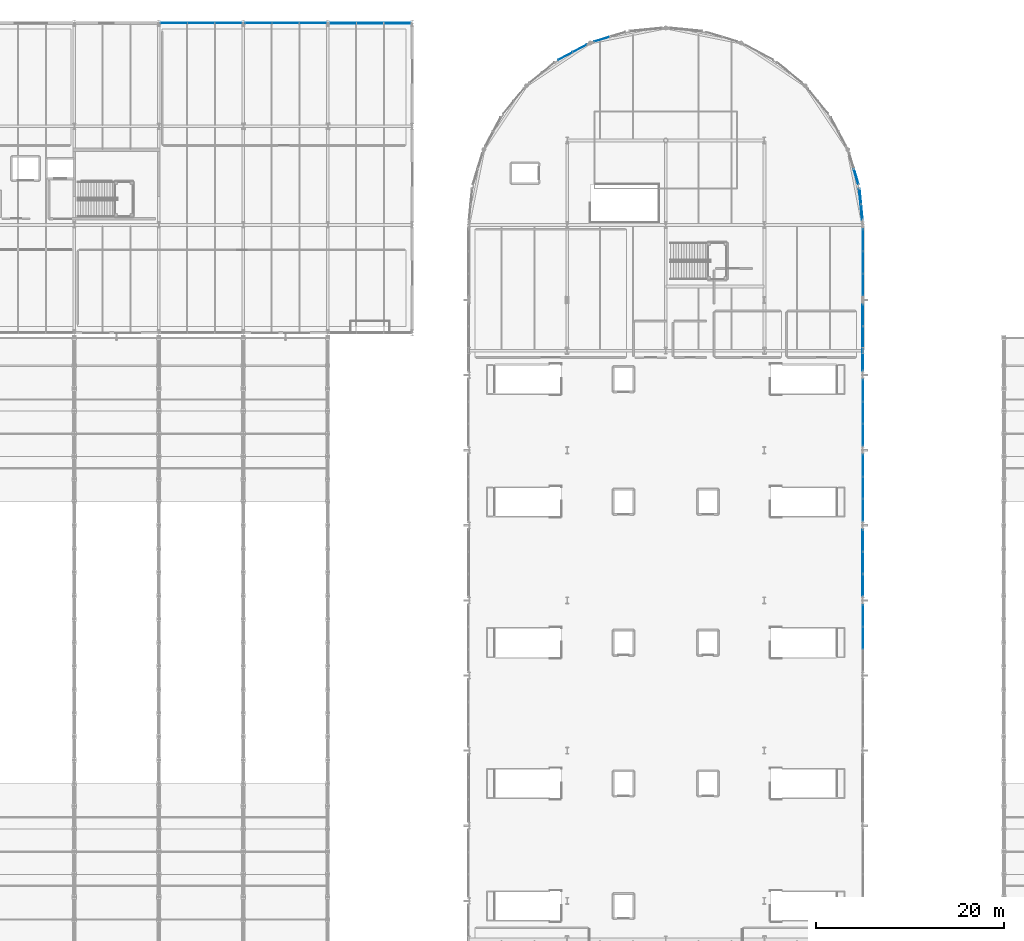
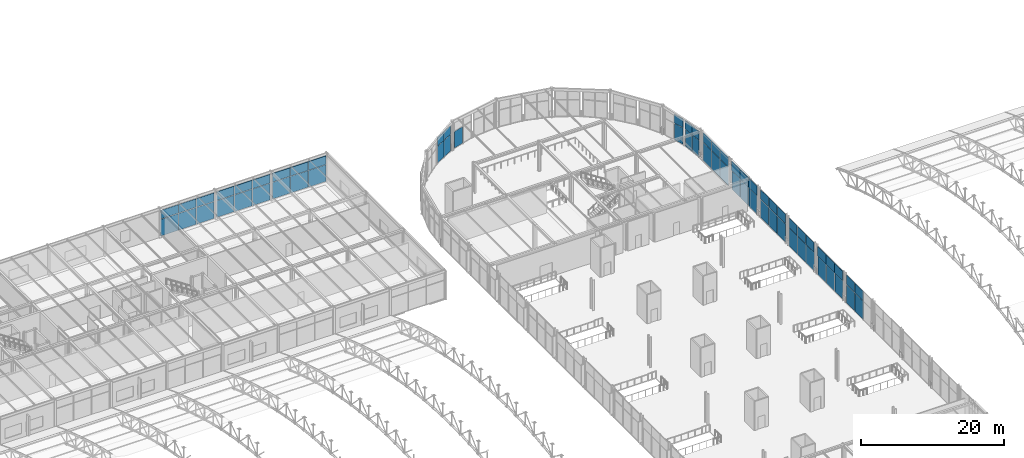
# One storey, part 102 of 195: 63 plates, 13 elements without a shape of their own.
"""IFC4 building model written with IfcOpenShell, lengths in metres."""

from ifc_helpers import new_model, si_unit, direction, frame, origin, origin_2d, place, context, subcontext, project, spatial, rectangle, extrude, material, layer, layer_set, type_object, element, aggregate, save


model = new_model("IFC4")

# Units and contexts
model_context = context("Model", 3, precision=1e-05, world=origin(), true_north=direction((0.0, 1.0)))
body_context = subcontext(model_context, "Body", "Model", "MODEL_VIEW")
ifc_project = project(units=[si_unit("LENGTHUNIT", "METRE"), si_unit("AREAUNIT", "SQUARE_METRE"), si_unit("VOLUMEUNIT", "CUBIC_METRE"), si_unit("PLANEANGLEUNIT", "RADIAN"), si_unit("MASSUNIT", "GRAM", prefix="KILO")], contexts=[model_context])

# Site, building, storey
site_placement = place(None, origin())
site = spatial("IfcSite", under=ifc_project, at=site_placement, CompositionType="ELEMENT")
building_placement = place(site_placement, origin())
building = spatial("IfcBuilding", under=site, at=building_placement, Name="Marlcrest Central Station", CompositionType="ELEMENT")
storey_placement = place(building_placement, frame((0.0, 0.0, 9.800048828125)))
storey = spatial("IfcBuildingStorey", under=building, at=storey_placement, Name="L02", CompositionType="ELEMENT", Elevation=9.800048828125)

# Curtain wall, plates
ifc_material_1 = material(Name="Anodised aluminium and hurricane laminated glass", Category="aluminium")
ifc_layer_1 = layer(ifc_material_1, 0.219970703125, Name="CW-U1")
ifc_layer_set_1 = layer_set([ifc_layer_1], Name="Anodised aluminium and hurricane laminated glass")
curtain_wall_type = type_object("IfcCurtainWallType", Name="CW-U1", PredefinedType="USERDEFINED", material=ifc_layer_set_1)
curtain_wall_1_placement = place(storey_placement, origin())
curtain_wall_1 = element("IfcCurtainWall", 1, at=curtain_wall_1_placement, inside=storey, type_object=curtain_wall_type, Name="cw-L02-0072", ObjectType="UNITISED_CURTAIN_WALL", PredefinedType="USERDEFINED")
ifc_material_2 = material(Name="Hurricane laminated solar-control glass", Category="glass")
ifc_layer_2 = layer(ifc_material_2, 0.031982421875, Name="CP-01")
ifc_layer_set_2 = layer_set([ifc_layer_2], Name="Hurricane laminated solar-control glass")
plate_type_1 = type_object("IfcPlateType", Name="CP-01", PredefinedType="CURTAIN_PANEL", material=ifc_layer_set_2)
plate_1_placement = place(storey_placement, frame((97.287841796875, 128.47119140625, 0.080078125), z_axis=(0.0, 0.0, 1.0), x_axis=(0.882003525167, 0.471242805349, 0.0)))
plate_1 = element("IfcPlate", 2, at=plate_1_placement, type_object=plate_type_1, Name="cw-L02-0072-cp-lo-0", PredefinedType="CURTAIN_PANEL", context=body_context, shape_type="SweptSolid", body=[
    extrude(rectangle(XDim=1.677490234375, YDim=0.031982421875, at=origin_2d()), origin(), (0.0, 0.0, 1.0), 2.804931640625),
])
plate_2_placement = place(storey_placement, frame((98.83447265625, 129.29736328125, 0.080078125), z_axis=(0.0, 0.0, 1.0), x_axis=(0.882003525167, 0.471242805349, 0.0)))
plate_2 = element("IfcPlate", 3, at=plate_2_placement, type_object=plate_type_1, Name="cw-L02-0072-cp-lo-1", PredefinedType="CURTAIN_PANEL", context=body_context, shape_type="SweptSolid", body=[
    extrude(rectangle(XDim=1.677490234375, YDim=0.031982421875, at=origin_2d()), origin(), (0.0, 0.0, 1.0), 2.804931640625),
])

# Curtain wall, plate
curtain_wall_2_placement = place(storey_placement, origin())
curtain_wall_2 = element("IfcCurtainWall", 4, at=curtain_wall_2_placement, inside=storey, type_object=curtain_wall_type, Name="cw-L02-0073", ObjectType="UNITISED_CURTAIN_WALL", PredefinedType="USERDEFINED")
plate_3_placement = place(storey_placement, frame((101.189453125, 130.272705078125, 0.080078125), z_axis=(0.0, 0.0, 1.0), x_axis=(0.956930202302, 0.290318080597, 0.0)))
plate_3 = element("IfcPlate", 5, at=plate_3_placement, type_object=plate_type_1, Name="cw-L02-0073-cp-lo-0", PredefinedType="CURTAIN_PANEL", context=body_context, shape_type="SweptSolid", body=[
    extrude(rectangle(XDim=1.67724609375, YDim=0.031982421875, at=origin_2d()), origin(), (0.0, 0.0, 1.0), 2.804931640625),
])
aggregate(curtain_wall_2, [plate_3])

curtain_wall_3_placement = place(storey_placement, origin())
curtain_wall_3 = element("IfcCurtainWall", 6, at=curtain_wall_3_placement, inside=storey, type_object=curtain_wall_type, Name="cw-L02-0081", ObjectType="UNITISED_CURTAIN_WALL", PredefinedType="USERDEFINED")
plate_4_placement = place(storey_placement, frame((128.28173828125, 115.6328125, 0.080078125), z_axis=(0.0, 0.0, 1.0), x_axis=(0.290318080597, -0.956930202302, 0.0)))
plate_4 = element("IfcPlate", 7, at=plate_4_placement, type_object=plate_type_1, Name="cw-L02-0081-cp-lo-1", PredefinedType="CURTAIN_PANEL", context=body_context, shape_type="SweptSolid", body=[
    extrude(rectangle(XDim=1.67724609375, YDim=0.031982421875, at=origin_2d()), origin(), (0.0, 0.0, 1.0), 2.804931640625),
])

# Curtain wall, plates
curtain_wall_4_placement = place(storey_placement, origin())
curtain_wall_4 = element("IfcCurtainWall", 8, at=curtain_wall_4_placement, inside=storey, type_object=curtain_wall_type, Name="cw-L02-0082", ObjectType="UNITISED_CURTAIN_WALL", PredefinedType="USERDEFINED")
plate_5_placement = place(storey_placement, frame((128.69921875, 113.5498046875, 0.080078125), z_axis=(0.0, 0.0, 1.0), x_axis=(0.098138724349, -0.995172744192, 0.0)))
plate_5 = element("IfcPlate", 9, at=plate_5_placement, type_object=plate_type_1, Name="cw-L02-0082-cp-lo-0", PredefinedType="CURTAIN_PANEL", context=body_context, shape_type="SweptSolid", body=[
    extrude(rectangle(XDim=1.61669921875, YDim=0.031982421875, at=origin_2d()), origin(), (0.0, 0.0, 1.0), 2.804931640625),
])
plate_6_placement = place(storey_placement, frame((128.865234375, 111.865478515625, 0.080078125), z_axis=(0.0, 0.0, 1.0), x_axis=(0.098138724349, -0.995172744192, 0.0)))
plate_6 = element("IfcPlate", 10, at=plate_6_placement, type_object=plate_type_1, Name="cw-L02-0082-cp-lo-1", PredefinedType="CURTAIN_PANEL", context=body_context, shape_type="SweptSolid", body=[
    extrude(rectangle(XDim=1.61669921875, YDim=0.031982421875, at=origin_2d()), origin(), (0.0, 0.0, 1.0), 2.804931640625),
])

curtain_wall_5_placement = place(storey_placement, origin())
curtain_wall_5 = element("IfcCurtainWall", 11, at=curtain_wall_5_placement, inside=storey, type_object=curtain_wall_type, Name="cw-L02-0120", ObjectType="UNITISED_CURTAIN_WALL", PredefinedType="USERDEFINED")
plate_7_placement = place(storey_placement, frame((129.0, 68.86669921875, 0.080078125), z_axis=(0.0, 0.0, 1.0), x_axis=(0.0, -1.0, 0.0)))
plate_7 = element("IfcPlate", 12, at=plate_7_placement, type_object=plate_type_1, Name="cw-L02-0120-cp-lo-0", PredefinedType="CURTAIN_PANEL", context=body_context, shape_type="SweptSolid", body=[
    extrude(rectangle(XDim=2.290771484375, YDim=0.031982421875, at=origin_2d()), origin(), (0.0, 0.0, 1.0), 3.097900390625),
])
plate_8_placement = place(storey_placement, frame((129.0, 66.5, 0.080078125), z_axis=(0.0, 0.0, 1.0), x_axis=(0.0, -1.0, 0.0)))
plate_8 = element("IfcPlate", 13, at=plate_8_placement, type_object=plate_type_1, Name="cw-L02-0120-cp-lo-1", PredefinedType="CURTAIN_PANEL", context=body_context, shape_type="SweptSolid", body=[
    extrude(rectangle(XDim=2.290771484375, YDim=0.031982421875, at=origin_2d()), origin(), (0.0, 0.0, 1.0), 3.097900390625),
])

curtain_wall_6_placement = place(storey_placement, origin())
curtain_wall_6 = element("IfcCurtainWall", 14, at=curtain_wall_6_placement, inside=storey, type_object=curtain_wall_type, Name="cw-L02-0124", ObjectType="UNITISED_CURTAIN_WALL", PredefinedType="USERDEFINED")
plate_9_placement = place(storey_placement, frame((129.0, 76.86669921875, 0.080078125), z_axis=(0.0, 0.0, 1.0), x_axis=(0.0, -1.0, 0.0)))
plate_9 = element("IfcPlate", 15, at=plate_9_placement, type_object=plate_type_1, Name="cw-L02-0124-cp-lo-0", PredefinedType="CURTAIN_PANEL", context=body_context, shape_type="SweptSolid", body=[
    extrude(rectangle(XDim=2.290771484375, YDim=0.031982421875, at=origin_2d()), origin(), (0.0, 0.0, 1.0), 3.097900390625),
])
plate_10_placement = place(storey_placement, frame((129.0, 74.5, 0.080078125), z_axis=(0.0, 0.0, 1.0), x_axis=(0.0, -1.0, 0.0)))
plate_10 = element("IfcPlate", 16, at=plate_10_placement, type_object=plate_type_1, Name="cw-L02-0124-cp-lo-1", PredefinedType="CURTAIN_PANEL", context=body_context, shape_type="SweptSolid", body=[
    extrude(rectangle(XDim=2.290771484375, YDim=0.031982421875, at=origin_2d()), origin(), (0.0, 0.0, 1.0), 3.097900390625),
])
plate_11_placement = place(storey_placement, frame((129.0, 72.13330078125, 0.080078125), z_axis=(0.0, 0.0, 1.0), x_axis=(0.0, -1.0, 0.0)))
plate_11 = element("IfcPlate", 17, at=plate_11_placement, type_object=plate_type_1, Name="cw-L02-0124-cp-lo-2", PredefinedType="CURTAIN_PANEL", context=body_context, shape_type="SweptSolid", body=[
    extrude(rectangle(XDim=2.290771484375, YDim=0.031982421875, at=origin_2d()), origin(), (0.0, 0.0, 1.0), 3.097900390625),
])

curtain_wall_7_placement = place(storey_placement, origin())
curtain_wall_7 = element("IfcCurtainWall", 18, at=curtain_wall_7_placement, inside=storey, type_object=curtain_wall_type, Name="cw-L02-0128", ObjectType="UNITISED_CURTAIN_WALL", PredefinedType="USERDEFINED")
plate_12_placement = place(storey_placement, frame((129.0, 84.86669921875, 0.080078125), z_axis=(0.0, 0.0, 1.0), x_axis=(0.0, -1.0, 0.0)))
plate_12 = element("IfcPlate", 19, at=plate_12_placement, type_object=plate_type_1, Name="cw-L02-0128-cp-lo-0", PredefinedType="CURTAIN_PANEL", context=body_context, shape_type="SweptSolid", body=[
    extrude(rectangle(XDim=2.290771484375, YDim=0.031982421875, at=origin_2d()), origin(), (0.0, 0.0, 1.0), 3.097900390625),
])
plate_13_placement = place(storey_placement, frame((129.0, 82.5, 0.080078125), z_axis=(0.0, 0.0, 1.0), x_axis=(0.0, -1.0, 0.0)))
plate_13 = element("IfcPlate", 20, at=plate_13_placement, type_object=plate_type_1, Name="cw-L02-0128-cp-lo-1", PredefinedType="CURTAIN_PANEL", context=body_context, shape_type="SweptSolid", body=[
    extrude(rectangle(XDim=2.290771484375, YDim=0.031982421875, at=origin_2d()), origin(), (0.0, 0.0, 1.0), 3.097900390625),
])
plate_14_placement = place(storey_placement, frame((129.0, 80.13330078125, 0.080078125), z_axis=(0.0, 0.0, 1.0), x_axis=(0.0, -1.0, 0.0)))
plate_14 = element("IfcPlate", 21, at=plate_14_placement, type_object=plate_type_1, Name="cw-L02-0128-cp-lo-2", PredefinedType="CURTAIN_PANEL", context=body_context, shape_type="SweptSolid", body=[
    extrude(rectangle(XDim=2.290771484375, YDim=0.031982421875, at=origin_2d()), origin(), (0.0, 0.0, 1.0), 3.097900390625),
])

curtain_wall_8_placement = place(storey_placement, origin())
curtain_wall_8 = element("IfcCurtainWall", 22, at=curtain_wall_8_placement, inside=storey, type_object=curtain_wall_type, Name="cw-L02-0132", ObjectType="UNITISED_CURTAIN_WALL", PredefinedType="USERDEFINED")
plate_15_placement = place(storey_placement, frame((129.0, 92.86669921875, 0.080078125), z_axis=(0.0, 0.0, 1.0), x_axis=(0.0, -1.0, 0.0)))
plate_15 = element("IfcPlate", 23, at=plate_15_placement, type_object=plate_type_1, Name="cw-L02-0132-cp-lo-0", PredefinedType="CURTAIN_PANEL", context=body_context, shape_type="SweptSolid", body=[
    extrude(rectangle(XDim=2.290771484375, YDim=0.031982421875, at=origin_2d()), origin(), (0.0, 0.0, 1.0), 3.097900390625),
])
plate_16_placement = place(storey_placement, frame((129.0, 90.5, 0.080078125), z_axis=(0.0, 0.0, 1.0), x_axis=(0.0, -1.0, 0.0)))
plate_16 = element("IfcPlate", 24, at=plate_16_placement, type_object=plate_type_1, Name="cw-L02-0132-cp-lo-1", PredefinedType="CURTAIN_PANEL", context=body_context, shape_type="SweptSolid", body=[
    extrude(rectangle(XDim=2.290771484375, YDim=0.031982421875, at=origin_2d()), origin(), (0.0, 0.0, 1.0), 3.097900390625),
])
plate_17_placement = place(storey_placement, frame((129.0, 88.13330078125, 0.080078125), z_axis=(0.0, 0.0, 1.0), x_axis=(0.0, -1.0, 0.0)))
plate_17 = element("IfcPlate", 25, at=plate_17_placement, type_object=plate_type_1, Name="cw-L02-0132-cp-lo-2", PredefinedType="CURTAIN_PANEL", context=body_context, shape_type="SweptSolid", body=[
    extrude(rectangle(XDim=2.290771484375, YDim=0.031982421875, at=origin_2d()), origin(), (0.0, 0.0, 1.0), 3.097900390625),
])

curtain_wall_9_placement = place(storey_placement, origin())
curtain_wall_9 = element("IfcCurtainWall", 26, at=curtain_wall_9_placement, inside=storey, type_object=curtain_wall_type, Name="cw-L02-0136", ObjectType="UNITISED_CURTAIN_WALL", PredefinedType="USERDEFINED")
plate_18_placement = place(storey_placement, frame((129.0, 100.86669921875, 0.080078125), z_axis=(0.0, 0.0, 1.0), x_axis=(0.0, -1.0, 0.0)))
plate_18 = element("IfcPlate", 27, at=plate_18_placement, type_object=plate_type_1, Name="cw-L02-0136-cp-lo-0", PredefinedType="CURTAIN_PANEL", context=body_context, shape_type="SweptSolid", body=[
    extrude(rectangle(XDim=2.290771484375, YDim=0.031982421875, at=origin_2d()), origin(), (0.0, 0.0, 1.0), 3.097900390625),
])
plate_19_placement = place(storey_placement, frame((129.0, 98.5, 0.080078125), z_axis=(0.0, 0.0, 1.0), x_axis=(0.0, -1.0, 0.0)))
plate_19 = element("IfcPlate", 28, at=plate_19_placement, type_object=plate_type_1, Name="cw-L02-0136-cp-lo-1", PredefinedType="CURTAIN_PANEL", context=body_context, shape_type="SweptSolid", body=[
    extrude(rectangle(XDim=2.290771484375, YDim=0.031982421875, at=origin_2d()), origin(), (0.0, 0.0, 1.0), 3.097900390625),
])
plate_20_placement = place(storey_placement, frame((129.0, 96.13330078125, 0.080078125), z_axis=(0.0, 0.0, 1.0), x_axis=(0.0, -1.0, 0.0)))
plate_20 = element("IfcPlate", 29, at=plate_20_placement, type_object=plate_type_1, Name="cw-L02-0136-cp-lo-2", PredefinedType="CURTAIN_PANEL", context=body_context, shape_type="SweptSolid", body=[
    extrude(rectangle(XDim=2.290771484375, YDim=0.031982421875, at=origin_2d()), origin(), (0.0, 0.0, 1.0), 3.097900390625),
])

curtain_wall_10_placement = place(storey_placement, origin())
curtain_wall_10 = element("IfcCurtainWall", 30, at=curtain_wall_10_placement, inside=storey, type_object=curtain_wall_type, Name="cw-L02-0140", ObjectType="UNITISED_CURTAIN_WALL", PredefinedType="USERDEFINED")
plate_21_placement = place(storey_placement, frame((129.0, 108.86669921875, 0.080078125), z_axis=(0.0, 0.0, 1.0), x_axis=(0.0, -1.0, 0.0)))
plate_21 = element("IfcPlate", 31, at=plate_21_placement, type_object=plate_type_1, Name="cw-L02-0140-cp-lo-0", PredefinedType="CURTAIN_PANEL", context=body_context, shape_type="SweptSolid", body=[
    extrude(rectangle(XDim=2.290771484375, YDim=0.031982421875, at=origin_2d()), origin(), (0.0, 0.0, 1.0), 3.097900390625),
])
plate_22_placement = place(storey_placement, frame((129.0, 106.5, 0.080078125), z_axis=(0.0, 0.0, 1.0), x_axis=(0.0, -1.0, 0.0)))
plate_22 = element("IfcPlate", 32, at=plate_22_placement, type_object=plate_type_1, Name="cw-L02-0140-cp-lo-1", PredefinedType="CURTAIN_PANEL", context=body_context, shape_type="SweptSolid", body=[
    extrude(rectangle(XDim=2.290771484375, YDim=0.031982421875, at=origin_2d()), origin(), (0.0, 0.0, 1.0), 3.097900390625),
])
plate_23_placement = place(storey_placement, frame((129.0, 104.13330078125, 0.080078125), z_axis=(0.0, 0.0, 1.0), x_axis=(0.0, -1.0, 0.0)))
plate_23 = element("IfcPlate", 33, at=plate_23_placement, type_object=plate_type_1, Name="cw-L02-0140-cp-lo-2", PredefinedType="CURTAIN_PANEL", context=body_context, shape_type="SweptSolid", body=[
    extrude(rectangle(XDim=2.290771484375, YDim=0.031982421875, at=origin_2d()), origin(), (0.0, 0.0, 1.0), 3.097900390625),
])

curtain_wall_11_placement = place(storey_placement, origin())
curtain_wall_11 = element("IfcCurtainWall", 34, at=curtain_wall_11_placement, inside=storey, type_object=curtain_wall_type, Name="cw-L02-0163", ObjectType="UNITISED_CURTAIN_WALL", PredefinedType="USERDEFINED")
ifc_material_3 = material(Name="Acoustic triple-glazed solar-control glass", Category="glass")
ifc_layer_3 = layer(ifc_material_3, 0.0439453125, Name="CP-03")
ifc_layer_set_3 = layer_set([ifc_layer_3], Name="Acoustic triple-glazed solar-control glass")
plate_type_2 = type_object("IfcPlateType", Name="CP-03", PredefinedType="CURTAIN_PANEL", material=ifc_layer_set_3)
plate_24_placement = place(storey_placement, frame((55.60009765625, 132.0, 0.080078125), z_axis=(0.0, 0.0, 1.0), x_axis=(1.0, 0.0, 0.0)))
plate_24 = element("IfcPlate", 35, at=plate_24_placement, type_object=plate_type_2, Name="cw-L02-0163-cp-lo-0", PredefinedType="CURTAIN_PANEL", context=body_context, shape_type="SweptSolid", body=[
    extrude(rectangle(XDim=2.823974609375, YDim=0.0439453125, at=origin_2d()), origin(), (0.0, 0.0, 1.0), 2.837890625),
])
plate_25_placement = place(storey_placement, frame((58.5, 132.0, 0.080078125), z_axis=(0.0, 0.0, 1.0), x_axis=(1.0, 0.0, 0.0)))
plate_25 = element("IfcPlate", 36, at=plate_25_placement, type_object=plate_type_2, Name="cw-L02-0163-cp-lo-1", PredefinedType="CURTAIN_PANEL", context=body_context, shape_type="SweptSolid", body=[
    extrude(rectangle(XDim=2.823974609375, YDim=0.0439453125, at=origin_2d()), origin(), (0.0, 0.0, 1.0), 2.837890625),
])
plate_26_placement = place(storey_placement, frame((61.39990234375, 132.0, 0.080078125), z_axis=(0.0, 0.0, 1.0), x_axis=(1.0, 0.0, 0.0)))
plate_26 = element("IfcPlate", 37, at=plate_26_placement, type_object=plate_type_2, Name="cw-L02-0163-cp-lo-2", PredefinedType="CURTAIN_PANEL", context=body_context, shape_type="SweptSolid", body=[
    extrude(rectangle(XDim=2.823974609375, YDim=0.0439453125, at=origin_2d()), origin(), (0.0, 0.0, 1.0), 2.837890625),
])

curtain_wall_12_placement = place(storey_placement, origin())
curtain_wall_12 = element("IfcCurtainWall", 38, at=curtain_wall_12_placement, inside=storey, type_object=curtain_wall_type, Name="cw-L02-0164", ObjectType="UNITISED_CURTAIN_WALL", PredefinedType="USERDEFINED")
plate_27_placement = place(storey_placement, frame((64.60009765625, 132.0, 0.080078125), z_axis=(0.0, 0.0, 1.0), x_axis=(1.0, 0.0, 0.0)))
plate_27 = element("IfcPlate", 39, at=plate_27_placement, type_object=plate_type_2, Name="cw-L02-0164-cp-lo-0", PredefinedType="CURTAIN_PANEL", context=body_context, shape_type="SweptSolid", body=[
    extrude(rectangle(XDim=2.823974609375, YDim=0.0439453125, at=origin_2d()), origin(), (0.0, 0.0, 1.0), 2.837890625),
])
plate_28_placement = place(storey_placement, frame((67.5, 132.0, 0.080078125), z_axis=(0.0, 0.0, 1.0), x_axis=(1.0, 0.0, 0.0)))
plate_28 = element("IfcPlate", 40, at=plate_28_placement, type_object=plate_type_2, Name="cw-L02-0164-cp-lo-1", PredefinedType="CURTAIN_PANEL", context=body_context, shape_type="SweptSolid", body=[
    extrude(rectangle(XDim=2.823974609375, YDim=0.0439453125, at=origin_2d()), origin(), (0.0, 0.0, 1.0), 2.837890625),
])
plate_29_placement = place(storey_placement, frame((70.39990234375, 132.0, 0.080078125), z_axis=(0.0, 0.0, 1.0), x_axis=(1.0, 0.0, 0.0)))
plate_29 = element("IfcPlate", 41, at=plate_29_placement, type_object=plate_type_2, Name="cw-L02-0164-cp-lo-2", PredefinedType="CURTAIN_PANEL", context=body_context, shape_type="SweptSolid", body=[
    extrude(rectangle(XDim=2.823974609375, YDim=0.0439453125, at=origin_2d()), origin(), (0.0, 0.0, 1.0), 2.837890625),
])

curtain_wall_13_placement = place(storey_placement, origin())
curtain_wall_13 = element("IfcCurtainWall", 42, at=curtain_wall_13_placement, inside=storey, type_object=curtain_wall_type, Name="cw-L02-0166", ObjectType="UNITISED_CURTAIN_WALL", PredefinedType="USERDEFINED")
plate_30_placement = place(storey_placement, frame((73.60009765625, 132.0, 0.080078125), z_axis=(0.0, 0.0, 1.0), x_axis=(1.0, 0.0, 0.0)))
plate_30 = element("IfcPlate", 43, at=plate_30_placement, type_object=plate_type_2, Name="cw-L02-0166-cp-lo-0", PredefinedType="CURTAIN_PANEL", context=body_context, shape_type="SweptSolid", body=[
    extrude(rectangle(XDim=2.823974609375, YDim=0.0439453125, at=origin_2d()), origin(), (0.0, 0.0, 1.0), 2.837890625),
])
plate_31_placement = place(storey_placement, frame((76.5, 132.0, 0.080078125), z_axis=(0.0, 0.0, 1.0), x_axis=(1.0, 0.0, 0.0)))
plate_31 = element("IfcPlate", 44, at=plate_31_placement, type_object=plate_type_2, Name="cw-L02-0166-cp-lo-1", PredefinedType="CURTAIN_PANEL", context=body_context, shape_type="SweptSolid", body=[
    extrude(rectangle(XDim=2.823974609375, YDim=0.0439453125, at=origin_2d()), origin(), (0.0, 0.0, 1.0), 2.837890625),
])
plate_32_placement = place(storey_placement, frame((79.39990234375, 132.0, 0.080078125), z_axis=(0.0, 0.0, 1.0), x_axis=(1.0, 0.0, 0.0)))
plate_32 = element("IfcPlate", 45, at=plate_32_placement, type_object=plate_type_2, Name="cw-L02-0166-cp-lo-2", PredefinedType="CURTAIN_PANEL", context=body_context, shape_type="SweptSolid", body=[
    extrude(rectangle(XDim=2.823974609375, YDim=0.0439453125, at=origin_2d()), origin(), (0.0, 0.0, 1.0), 2.837890625),
])

# Plate
ifc_material_4 = material(Name="Insulated bronze-anodised aluminium spandrel panel", Category="aluminium")
ifc_layer_4 = layer(ifc_material_4, 0.06005859375, Name="CP-04")
ifc_layer_set_4 = layer_set([ifc_layer_4], Name="Insulated bronze-anodised aluminium spandrel panel")
plate_type_3 = type_object("IfcPlateType", Name="CP-04", PredefinedType="CURTAIN_PANEL", material=ifc_layer_set_4)
plate_33_placement = place(storey_placement, frame((97.287841796875, 128.47119140625, 2.96484375), z_axis=(0.0, 0.0, 1.0), x_axis=(0.882003525167, 0.471242805349, 0.0)))
plate_33 = element("IfcPlate", 46, at=plate_33_placement, type_object=plate_type_3, Name="cw-L02-0072-cp-hi-0", PredefinedType="CURTAIN_PANEL", context=body_context, shape_type="SweptSolid", body=[
    extrude(rectangle(XDim=1.677490234375, YDim=0.06005859375, at=origin_2d()), origin(), (0.0, 0.0, 1.0), 1.455078125),
])

plate_34_placement = place(storey_placement, frame((98.83447265625, 129.29736328125, 2.96484375), z_axis=(0.0, 0.0, 1.0), x_axis=(0.882003525167, 0.471242805349, 0.0)))
plate_34 = element("IfcPlate", 47, at=plate_34_placement, type_object=plate_type_3, Name="cw-L02-0072-cp-hi-1", PredefinedType="CURTAIN_PANEL", context=body_context, shape_type="SweptSolid", body=[
    extrude(rectangle(XDim=1.677490234375, YDim=0.06005859375, at=origin_2d()), origin(), (0.0, 0.0, 1.0), 1.455078125),
])

aggregate(curtain_wall_1, [plate_1, plate_33, plate_2, plate_34])

plate_35_placement = place(storey_placement, frame((129.0, 68.86669921875, 3.2578125), z_axis=(0.0, 0.0, 1.0), x_axis=(0.0, -1.0, 0.0)))
plate_35 = element("IfcPlate", 48, at=plate_35_placement, type_object=plate_type_3, Name="cw-L02-0120-cp-hi-0", PredefinedType="CURTAIN_PANEL", context=body_context, shape_type="SweptSolid", body=[
    extrude(rectangle(XDim=2.290771484375, YDim=0.06005859375, at=origin_2d()), origin(), (0.0, 0.0, 1.0), 1.612060546875),
])

plate_36_placement = place(storey_placement, frame((129.0, 66.5, 3.2578125), z_axis=(0.0, 0.0, 1.0), x_axis=(0.0, -1.0, 0.0)))
plate_36 = element("IfcPlate", 49, at=plate_36_placement, type_object=plate_type_3, Name="cw-L02-0120-cp-hi-1", PredefinedType="CURTAIN_PANEL", context=body_context, shape_type="SweptSolid", body=[
    extrude(rectangle(XDim=2.290771484375, YDim=0.06005859375, at=origin_2d()), origin(), (0.0, 0.0, 1.0), 1.612060546875),
])

aggregate(curtain_wall_5, [plate_7, plate_35, plate_8, plate_36])

plate_37_placement = place(storey_placement, frame((129.0, 92.86669921875, 3.2578125), z_axis=(0.0, 0.0, 1.0), x_axis=(0.0, -1.0, 0.0)))
plate_37 = element("IfcPlate", 50, at=plate_37_placement, type_object=plate_type_3, Name="cw-L02-0132-cp-hi-0", PredefinedType="CURTAIN_PANEL", context=body_context, shape_type="SweptSolid", body=[
    extrude(rectangle(XDim=2.290771484375, YDim=0.06005859375, at=origin_2d()), origin(), (0.0, 0.0, 1.0), 1.612060546875),
])

plate_38_placement = place(storey_placement, frame((129.0, 90.5, 3.2578125), z_axis=(0.0, 0.0, 1.0), x_axis=(0.0, -1.0, 0.0)))
plate_38 = element("IfcPlate", 51, at=plate_38_placement, type_object=plate_type_3, Name="cw-L02-0132-cp-hi-1", PredefinedType="CURTAIN_PANEL", context=body_context, shape_type="SweptSolid", body=[
    extrude(rectangle(XDim=2.290771484375, YDim=0.06005859375, at=origin_2d()), origin(), (0.0, 0.0, 1.0), 1.612060546875),
])

plate_39_placement = place(storey_placement, frame((129.0, 88.13330078125, 3.2578125), z_axis=(0.0, 0.0, 1.0), x_axis=(0.0, -1.0, 0.0)))
plate_39 = element("IfcPlate", 52, at=plate_39_placement, type_object=plate_type_3, Name="cw-L02-0132-cp-hi-2", PredefinedType="CURTAIN_PANEL", context=body_context, shape_type="SweptSolid", body=[
    extrude(rectangle(XDim=2.290771484375, YDim=0.06005859375, at=origin_2d()), origin(), (0.0, 0.0, 1.0), 1.612060546875),
])

aggregate(curtain_wall_8, [plate_15, plate_37, plate_16, plate_38, plate_17, plate_39])

ifc_layer_5 = layer(ifc_material_4, 0.050048828125, Name="CP-05")
ifc_layer_set_5 = layer_set([ifc_layer_5], Name="Insulated bronze-anodised aluminium spandrel panel")
plate_type_4 = type_object("IfcPlateType", Name="CP-05", PredefinedType="CURTAIN_PANEL", material=ifc_layer_set_5)
plate_40_placement = place(storey_placement, frame((55.60009765625, 132.0, 2.998046875), z_axis=(0.0, 0.0, 1.0), x_axis=(1.0, 0.0, 0.0)))
plate_40 = element("IfcPlate", 53, at=plate_40_placement, type_object=plate_type_4, Name="cw-L02-0163-cp-hi-0", PredefinedType="CURTAIN_PANEL", context=body_context, shape_type="SweptSolid", body=[
    extrude(rectangle(XDim=2.823974609375, YDim=0.050048828125, at=origin_2d()), origin(), (0.0, 0.0, 1.0), 1.471923828125),
])

plate_41_placement = place(storey_placement, frame((58.5, 132.0, 2.998046875), z_axis=(0.0, 0.0, 1.0), x_axis=(1.0, 0.0, 0.0)))
plate_41 = element("IfcPlate", 54, at=plate_41_placement, type_object=plate_type_4, Name="cw-L02-0163-cp-hi-1", PredefinedType="CURTAIN_PANEL", context=body_context, shape_type="SweptSolid", body=[
    extrude(rectangle(XDim=2.823974609375, YDim=0.050048828125, at=origin_2d()), origin(), (0.0, 0.0, 1.0), 1.471923828125),
])

plate_42_placement = place(storey_placement, frame((61.39990234375, 132.0, 2.998046875), z_axis=(0.0, 0.0, 1.0), x_axis=(1.0, 0.0, 0.0)))
plate_42 = element("IfcPlate", 55, at=plate_42_placement, type_object=plate_type_4, Name="cw-L02-0163-cp-hi-2", PredefinedType="CURTAIN_PANEL", context=body_context, shape_type="SweptSolid", body=[
    extrude(rectangle(XDim=2.823974609375, YDim=0.050048828125, at=origin_2d()), origin(), (0.0, 0.0, 1.0), 1.471923828125),
])

aggregate(curtain_wall_11, [plate_24, plate_40, plate_25, plate_41, plate_26, plate_42])

ifc_material_5 = material(Name="Insulated acoustic spandrel panel")
ifc_layer_6 = layer(ifc_material_5, 0.074951171875, Name="CP-06")
ifc_layer_set_6 = layer_set([ifc_layer_6], Name="Insulated acoustic spandrel panel")
plate_type_5 = type_object("IfcPlateType", Name="CP-06", PredefinedType="CURTAIN_PANEL", material=ifc_layer_set_6)
plate_43_placement = place(storey_placement, frame((129.0, 84.86669921875, 3.2578125), z_axis=(0.0, 0.0, 1.0), x_axis=(0.0, -1.0, 0.0)))
plate_43 = element("IfcPlate", 56, at=plate_43_placement, type_object=plate_type_5, Name="cw-L02-0128-cp-hi-0", PredefinedType="CURTAIN_PANEL", context=body_context, shape_type="SweptSolid", body=[
    extrude(rectangle(XDim=2.290771484375, YDim=0.074951171875, at=origin_2d()), origin(), (0.0, 0.0, 1.0), 1.612060546875),
])

plate_44_placement = place(storey_placement, frame((129.0, 82.5, 3.2578125), z_axis=(0.0, 0.0, 1.0), x_axis=(0.0, -1.0, 0.0)))
plate_44 = element("IfcPlate", 57, at=plate_44_placement, type_object=plate_type_5, Name="cw-L02-0128-cp-hi-1", PredefinedType="CURTAIN_PANEL", context=body_context, shape_type="SweptSolid", body=[
    extrude(rectangle(XDim=2.290771484375, YDim=0.074951171875, at=origin_2d()), origin(), (0.0, 0.0, 1.0), 1.612060546875),
])

plate_45_placement = place(storey_placement, frame((129.0, 80.13330078125, 3.2578125), z_axis=(0.0, 0.0, 1.0), x_axis=(0.0, -1.0, 0.0)))
plate_45 = element("IfcPlate", 58, at=plate_45_placement, type_object=plate_type_5, Name="cw-L02-0128-cp-hi-2", PredefinedType="CURTAIN_PANEL", context=body_context, shape_type="SweptSolid", body=[
    extrude(rectangle(XDim=2.290771484375, YDim=0.074951171875, at=origin_2d()), origin(), (0.0, 0.0, 1.0), 1.612060546875),
])

aggregate(curtain_wall_7, [plate_12, plate_43, plate_13, plate_44, plate_14, plate_45])

plate_46_placement = place(storey_placement, frame((129.0, 108.86669921875, 3.2578125), z_axis=(0.0, 0.0, 1.0), x_axis=(0.0, -1.0, 0.0)))
plate_46 = element("IfcPlate", 59, at=plate_46_placement, type_object=plate_type_5, Name="cw-L02-0140-cp-hi-0", PredefinedType="CURTAIN_PANEL", context=body_context, shape_type="SweptSolid", body=[
    extrude(rectangle(XDim=2.290771484375, YDim=0.074951171875, at=origin_2d()), origin(), (0.0, 0.0, 1.0), 1.612060546875),
])

plate_47_placement = place(storey_placement, frame((129.0, 106.5, 3.2578125), z_axis=(0.0, 0.0, 1.0), x_axis=(0.0, -1.0, 0.0)))
plate_47 = element("IfcPlate", 60, at=plate_47_placement, type_object=plate_type_5, Name="cw-L02-0140-cp-hi-1", PredefinedType="CURTAIN_PANEL", context=body_context, shape_type="SweptSolid", body=[
    extrude(rectangle(XDim=2.290771484375, YDim=0.074951171875, at=origin_2d()), origin(), (0.0, 0.0, 1.0), 1.612060546875),
])

plate_48_placement = place(storey_placement, frame((129.0, 104.13330078125, 3.2578125), z_axis=(0.0, 0.0, 1.0), x_axis=(0.0, -1.0, 0.0)))
plate_48 = element("IfcPlate", 61, at=plate_48_placement, type_object=plate_type_5, Name="cw-L02-0140-cp-hi-2", PredefinedType="CURTAIN_PANEL", context=body_context, shape_type="SweptSolid", body=[
    extrude(rectangle(XDim=2.290771484375, YDim=0.074951171875, at=origin_2d()), origin(), (0.0, 0.0, 1.0), 1.612060546875),
])

aggregate(curtain_wall_10, [plate_21, plate_46, plate_22, plate_47, plate_23, plate_48])

plate_49_placement = place(storey_placement, frame((64.60009765625, 132.0, 2.998046875), z_axis=(0.0, 0.0, 1.0), x_axis=(1.0, 0.0, 0.0)))
plate_49 = element("IfcPlate", 62, at=plate_49_placement, type_object=plate_type_5, Name="cw-L02-0164-cp-hi-0", PredefinedType="CURTAIN_PANEL", context=body_context, shape_type="SweptSolid", body=[
    extrude(rectangle(XDim=2.823974609375, YDim=0.074951171875, at=origin_2d()), origin(), (0.0, 0.0, 1.0), 1.471923828125),
])

plate_50_placement = place(storey_placement, frame((67.5, 132.0, 2.998046875), z_axis=(0.0, 0.0, 1.0), x_axis=(1.0, 0.0, 0.0)))
plate_50 = element("IfcPlate", 63, at=plate_50_placement, type_object=plate_type_5, Name="cw-L02-0164-cp-hi-1", PredefinedType="CURTAIN_PANEL", context=body_context, shape_type="SweptSolid", body=[
    extrude(rectangle(XDim=2.823974609375, YDim=0.074951171875, at=origin_2d()), origin(), (0.0, 0.0, 1.0), 1.471923828125),
])

plate_51_placement = place(storey_placement, frame((70.39990234375, 132.0, 2.998046875), z_axis=(0.0, 0.0, 1.0), x_axis=(1.0, 0.0, 0.0)))
plate_51 = element("IfcPlate", 64, at=plate_51_placement, type_object=plate_type_5, Name="cw-L02-0164-cp-hi-2", PredefinedType="CURTAIN_PANEL", context=body_context, shape_type="SweptSolid", body=[
    extrude(rectangle(XDim=2.823974609375, YDim=0.074951171875, at=origin_2d()), origin(), (0.0, 0.0, 1.0), 1.471923828125),
])

aggregate(curtain_wall_12, [plate_27, plate_49, plate_28, plate_50, plate_29, plate_51])

ifc_material_6 = material(Name="Insulated hurricane-rated spandrel panel")
ifc_layer_7 = layer(ifc_material_6, 0.090087890625, Name="CP-07")
ifc_layer_set_7 = layer_set([ifc_layer_7], Name="Insulated hurricane-rated spandrel panel")
plate_type_6 = type_object("IfcPlateType", Name="CP-07", PredefinedType="CURTAIN_PANEL", material=ifc_layer_set_7)
plate_52_placement = place(storey_placement, frame((128.28173828125, 115.6328125, 2.96484375), z_axis=(0.0, 0.0, 1.0), x_axis=(0.290318080597, -0.956930202302, 0.0)))
plate_52 = element("IfcPlate", 65, at=plate_52_placement, type_object=plate_type_6, Name="cw-L02-0081-cp-hi-1", PredefinedType="CURTAIN_PANEL", context=body_context, shape_type="SweptSolid", body=[
    extrude(rectangle(XDim=1.67724609375, YDim=0.090087890625, at=origin_2d()), origin(), (0.0, 0.0, 1.0), 1.455078125),
])

aggregate(curtain_wall_3, [plate_4, plate_52])

ifc_material_7 = material(Name="Insulated shadow-box spandrel panel")
ifc_layer_8 = layer(ifc_material_7, 0.10498046875, Name="CP-08")
ifc_layer_set_8 = layer_set([ifc_layer_8], Name="Insulated shadow-box spandrel panel")
plate_type_7 = type_object("IfcPlateType", Name="CP-08", PredefinedType="CURTAIN_PANEL", material=ifc_layer_set_8)
plate_53_placement = place(storey_placement, frame((128.69921875, 113.5498046875, 2.96484375), z_axis=(0.0, 0.0, 1.0), x_axis=(0.098138724349, -0.995172744192, 0.0)))
plate_53 = element("IfcPlate", 66, at=plate_53_placement, type_object=plate_type_7, Name="cw-L02-0082-cp-hi-0", PredefinedType="CURTAIN_PANEL", context=body_context, shape_type="SweptSolid", body=[
    extrude(rectangle(XDim=1.61669921875, YDim=0.10498046875, at=origin_2d()), origin(), (0.0, 0.0, 1.0), 1.455078125),
])

plate_54_placement = place(storey_placement, frame((128.865234375, 111.865478515625, 2.96484375), z_axis=(0.0, 0.0, 1.0), x_axis=(0.098138724349, -0.995172744192, 0.0)))
plate_54 = element("IfcPlate", 67, at=plate_54_placement, type_object=plate_type_7, Name="cw-L02-0082-cp-hi-1", PredefinedType="CURTAIN_PANEL", context=body_context, shape_type="SweptSolid", body=[
    extrude(rectangle(XDim=1.61669921875, YDim=0.10498046875, at=origin_2d()), origin(), (0.0, 0.0, 1.0), 1.455078125),
])

aggregate(curtain_wall_4, [plate_5, plate_53, plate_6, plate_54])

plate_55_placement = place(storey_placement, frame((129.0, 76.86669921875, 3.2578125), z_axis=(0.0, 0.0, 1.0), x_axis=(0.0, -1.0, 0.0)))
plate_55 = element("IfcPlate", 68, at=plate_55_placement, type_object=plate_type_7, Name="cw-L02-0124-cp-hi-0", PredefinedType="CURTAIN_PANEL", context=body_context, shape_type="SweptSolid", body=[
    extrude(rectangle(XDim=2.290771484375, YDim=0.10498046875, at=origin_2d()), origin(), (0.0, 0.0, 1.0), 1.612060546875),
])

plate_56_placement = place(storey_placement, frame((129.0, 74.5, 3.2578125), z_axis=(0.0, 0.0, 1.0), x_axis=(0.0, -1.0, 0.0)))
plate_56 = element("IfcPlate", 69, at=plate_56_placement, type_object=plate_type_7, Name="cw-L02-0124-cp-hi-1", PredefinedType="CURTAIN_PANEL", context=body_context, shape_type="SweptSolid", body=[
    extrude(rectangle(XDim=2.290771484375, YDim=0.10498046875, at=origin_2d()), origin(), (0.0, 0.0, 1.0), 1.612060546875),
])

plate_57_placement = place(storey_placement, frame((129.0, 72.13330078125, 3.2578125), z_axis=(0.0, 0.0, 1.0), x_axis=(0.0, -1.0, 0.0)))
plate_57 = element("IfcPlate", 70, at=plate_57_placement, type_object=plate_type_7, Name="cw-L02-0124-cp-hi-2", PredefinedType="CURTAIN_PANEL", context=body_context, shape_type="SweptSolid", body=[
    extrude(rectangle(XDim=2.290771484375, YDim=0.10498046875, at=origin_2d()), origin(), (0.0, 0.0, 1.0), 1.612060546875),
])

aggregate(curtain_wall_6, [plate_9, plate_55, plate_10, plate_56, plate_11, plate_57])

plate_58_placement = place(storey_placement, frame((129.0, 100.86669921875, 3.2578125), z_axis=(0.0, 0.0, 1.0), x_axis=(0.0, -1.0, 0.0)))
plate_58 = element("IfcPlate", 71, at=plate_58_placement, type_object=plate_type_7, Name="cw-L02-0136-cp-hi-0", PredefinedType="CURTAIN_PANEL", context=body_context, shape_type="SweptSolid", body=[
    extrude(rectangle(XDim=2.290771484375, YDim=0.10498046875, at=origin_2d()), origin(), (0.0, 0.0, 1.0), 1.612060546875),
])

plate_59_placement = place(storey_placement, frame((129.0, 98.5, 3.2578125), z_axis=(0.0, 0.0, 1.0), x_axis=(0.0, -1.0, 0.0)))
plate_59 = element("IfcPlate", 72, at=plate_59_placement, type_object=plate_type_7, Name="cw-L02-0136-cp-hi-1", PredefinedType="CURTAIN_PANEL", context=body_context, shape_type="SweptSolid", body=[
    extrude(rectangle(XDim=2.290771484375, YDim=0.10498046875, at=origin_2d()), origin(), (0.0, 0.0, 1.0), 1.612060546875),
])

plate_60_placement = place(storey_placement, frame((129.0, 96.13330078125, 3.2578125), z_axis=(0.0, 0.0, 1.0), x_axis=(0.0, -1.0, 0.0)))
plate_60 = element("IfcPlate", 73, at=plate_60_placement, type_object=plate_type_7, Name="cw-L02-0136-cp-hi-2", PredefinedType="CURTAIN_PANEL", context=body_context, shape_type="SweptSolid", body=[
    extrude(rectangle(XDim=2.290771484375, YDim=0.10498046875, at=origin_2d()), origin(), (0.0, 0.0, 1.0), 1.612060546875),
])

aggregate(curtain_wall_9, [plate_18, plate_58, plate_19, plate_59, plate_20, plate_60])

plate_61_placement = place(storey_placement, frame((73.60009765625, 132.0, 2.998046875), z_axis=(0.0, 0.0, 1.0), x_axis=(1.0, 0.0, 0.0)))
plate_61 = element("IfcPlate", 74, at=plate_61_placement, type_object=plate_type_7, Name="cw-L02-0166-cp-hi-0", PredefinedType="CURTAIN_PANEL", context=body_context, shape_type="SweptSolid", body=[
    extrude(rectangle(XDim=2.823974609375, YDim=0.10498046875, at=origin_2d()), origin(), (0.0, 0.0, 1.0), 1.471923828125),
])

plate_62_placement = place(storey_placement, frame((76.5, 132.0, 2.998046875), z_axis=(0.0, 0.0, 1.0), x_axis=(1.0, 0.0, 0.0)))
plate_62 = element("IfcPlate", 75, at=plate_62_placement, type_object=plate_type_7, Name="cw-L02-0166-cp-hi-1", PredefinedType="CURTAIN_PANEL", context=body_context, shape_type="SweptSolid", body=[
    extrude(rectangle(XDim=2.823974609375, YDim=0.10498046875, at=origin_2d()), origin(), (0.0, 0.0, 1.0), 1.471923828125),
])

plate_63_placement = place(storey_placement, frame((79.39990234375, 132.0, 2.998046875), z_axis=(0.0, 0.0, 1.0), x_axis=(1.0, 0.0, 0.0)))
plate_63 = element("IfcPlate", 76, at=plate_63_placement, type_object=plate_type_7, Name="cw-L02-0166-cp-hi-2", PredefinedType="CURTAIN_PANEL", context=body_context, shape_type="SweptSolid", body=[
    extrude(rectangle(XDim=2.823974609375, YDim=0.10498046875, at=origin_2d()), origin(), (0.0, 0.0, 1.0), 1.471923828125),
])

aggregate(curtain_wall_13, [plate_30, plate_61, plate_31, plate_62, plate_32, plate_63])

save(model, "model.ifc")
